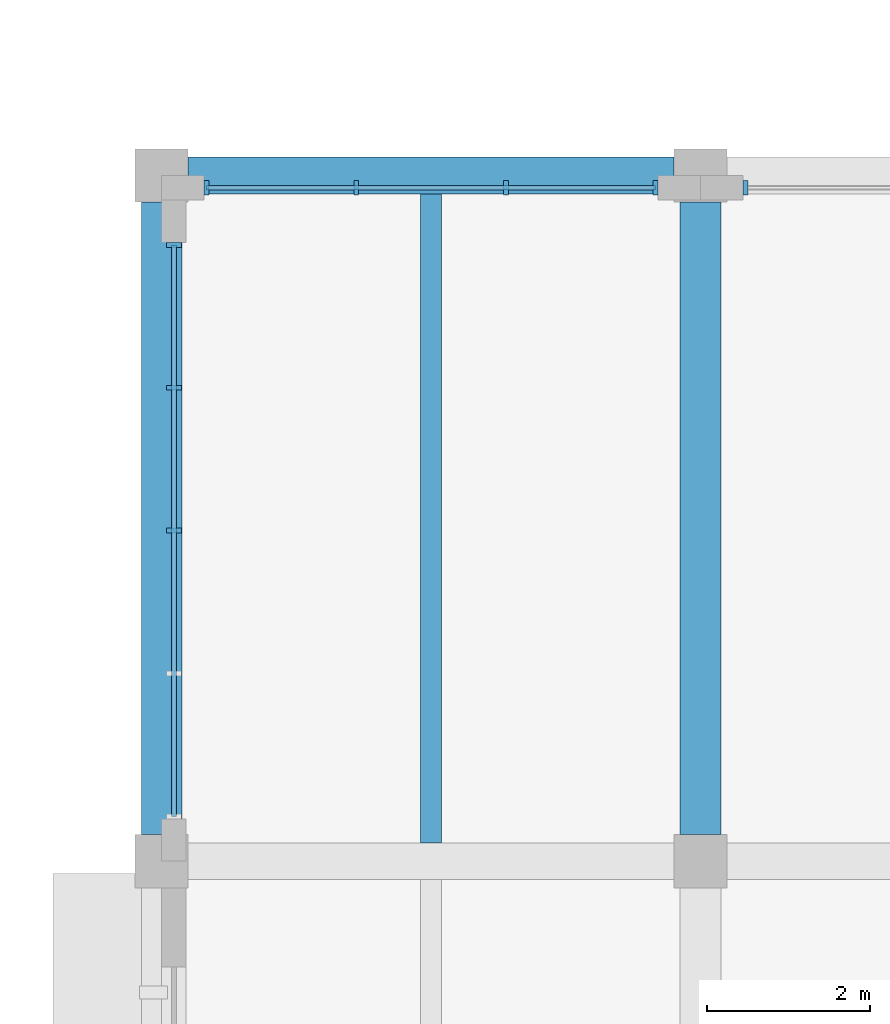
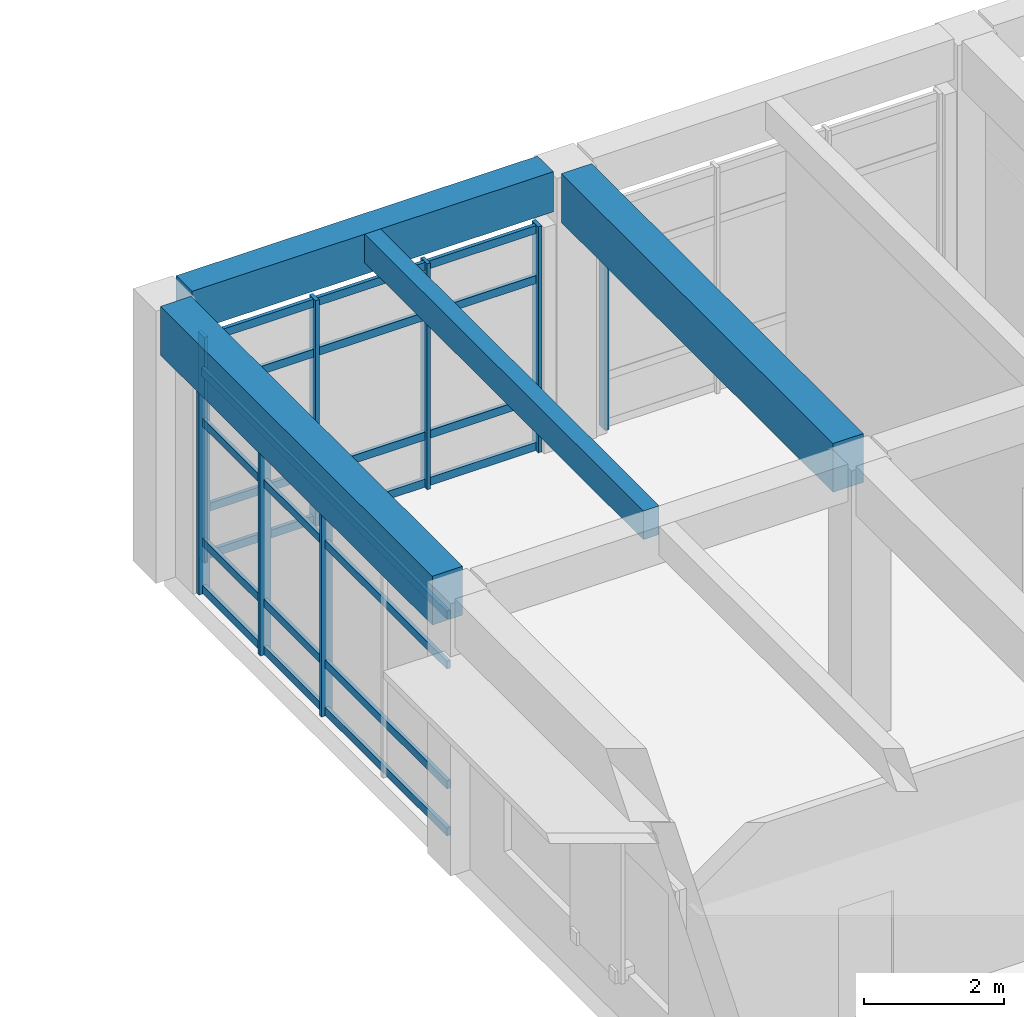
# One storey, part 24 of 79: 16 members, 4 beams, 3 elements without a shape of their own.
"""IFC4 building model written with IfcOpenShell, lengths in metres."""

from ifc_helpers import new_model, si_unit, direction, frame, origin, origin_2d, place, context, subcontext, project, spatial, rectangle, extrude, material, layer, layer_set, material_profile, profile_set, type_object, element, aggregate, save


model = new_model("IFC4")

# Units and contexts
model_context = context("Model", 3, precision=1e-05, world=origin(), true_north=direction((0.0, 1.0)))
body_context = subcontext(model_context, "Body", "Model", "MODEL_VIEW")
ifc_project = project(units=[si_unit("LENGTHUNIT", "METRE"), si_unit("AREAUNIT", "SQUARE_METRE"), si_unit("VOLUMEUNIT", "CUBIC_METRE"), si_unit("PLANEANGLEUNIT", "RADIAN"), si_unit("MASSUNIT", "GRAM", prefix="KILO")], contexts=[model_context])

# Site, building, storey
site_placement = place(None, origin())
site = spatial("IfcSite", under=ifc_project, at=site_placement, CompositionType="ELEMENT")
building_placement = place(site_placement, origin())
building = spatial("IfcBuilding", under=site, at=building_placement, Name="Kolvaren Faculty of Natural Sciences", CompositionType="ELEMENT")
storey_placement = place(building_placement, frame((0.0, 0.0, 10.199951171875)))
storey = spatial("IfcBuildingStorey", under=building, at=storey_placement, Name="L02", CompositionType="ELEMENT", Elevation=10.199951171875)

# Curtain wall, members
ifc_material_1 = material(Name="Thermally broken anodised aluminium framing", Category="aluminium")
ifc_layer = layer(ifc_material_1, 0.179931640625)
ifc_layer_set = layer_set([ifc_layer], Name="Thermally broken anodised aluminium framing")
curtain_wall_type = type_object("IfcCurtainWallType", Name="CommonsCurtainWall_CW02", PredefinedType="NOTDEFINED", material=ifc_layer_set)
curtain_wall_1_placement = place(storey_placement, origin())
curtain_wall_1 = element("IfcCurtainWall", 1, at=curtain_wall_1_placement, inside=storey, type_object=curtain_wall_type, Name="L02 unitised curtain wall CW-02 (CW-L02-091)", PredefinedType="NOTDEFINED")
ifc_material_profile_1 = material_profile(ifc_material_1, rectangle(XDim=0.06005859375, YDim=0.179931640625, at=origin_2d()), Name="ALU MUL 60x180")
ifc_profile_set_1 = profile_set([ifc_material_profile_1], Name="Thermally broken anodised aluminium framing")
member_type_1 = type_object("IfcMemberType", Name="CurtainMullion_60x180", PredefinedType="MULLION", material=ifc_profile_set_1)
member_1_placement = place(storey_placement, frame((119.14990234375, 105.050048828125, 0.0), z_axis=(0.0, 0.0, 1.0), x_axis=(0.0, 1.0, 0.0)))
member_1 = element("IfcMember", 2, at=member_1_placement, type_object=member_type_1, Name="CW-L02-091 vertical mullion 3", PredefinedType="MULLION", context=body_context, shape_type="SweptSolid", body=[
    extrude(rectangle(XDim=0.06005859375, YDim=0.179931640625, at=origin_2d()), origin(), (0.0, 0.0, 1.0), 3.93505859375),
])
member_2_placement = place(storey_placement, frame((119.14990234375, 106.800048828125, 0.0), z_axis=(0.0, 0.0, 1.0), x_axis=(0.0, 1.0, 0.0)))
member_2 = element("IfcMember", 3, at=member_2_placement, type_object=member_type_1, Name="CW-L02-091 vertical mullion 4", PredefinedType="MULLION", context=body_context, shape_type="SweptSolid", body=[
    extrude(rectangle(XDim=0.06005859375, YDim=0.179931640625, at=origin_2d()), origin(), (0.0, 0.0, 1.0), 3.93505859375),
])
member_3_placement = place(storey_placement, frame((119.14990234375, 108.550048828125, 0.0), z_axis=(0.0, 0.0, 1.0), x_axis=(0.0, 1.0, 0.0)))
member_3 = element("IfcMember", 4, at=member_3_placement, type_object=member_type_1, Name="CW-L02-091 vertical mullion 5", PredefinedType="MULLION", context=body_context, shape_type="SweptSolid", body=[
    extrude(rectangle(XDim=0.06005859375, YDim=0.179931640625, at=origin_2d()), origin(), (0.0, 0.0, 1.0), 3.93505859375),
])

curtain_wall_2_placement = place(storey_placement, origin())
curtain_wall_2 = element("IfcCurtainWall", 5, at=curtain_wall_2_placement, inside=storey, type_object=curtain_wall_type, Name="L02 unitised curtain wall CW-02 (CW-L02-092)", PredefinedType="NOTDEFINED")
member_4_placement = place(storey_placement, frame((119.550048828125, 109.25, 0.0), z_axis=(0.0, 0.0, 1.0), x_axis=(1.0, 0.0, 0.0)))
member_4 = element("IfcMember", 6, at=member_4_placement, type_object=member_type_1, Name="CW-L02-092 vertical mullion 1", PredefinedType="MULLION", context=body_context, shape_type="SweptSolid", body=[
    extrude(rectangle(XDim=0.06005859375, YDim=0.179931640625, at=origin_2d()), origin(), (0.0, 0.0, 1.0), 3.93505859375),
])
member_5_placement = place(storey_placement, frame((121.38330078125, 109.25, 0.0), z_axis=(0.0, 0.0, 1.0), x_axis=(1.0, 0.0, 0.0)))
member_5 = element("IfcMember", 7, at=member_5_placement, type_object=member_type_1, Name="CW-L02-092 vertical mullion 2", PredefinedType="MULLION", context=body_context, shape_type="SweptSolid", body=[
    extrude(rectangle(XDim=0.06005859375, YDim=0.179931640625, at=origin_2d()), origin(), (0.0, 0.0, 1.0), 3.93505859375),
])
member_6_placement = place(storey_placement, frame((123.216796875, 109.25, 0.0), z_axis=(0.0, 0.0, 1.0), x_axis=(1.0, 0.0, 0.0)))
member_6 = element("IfcMember", 8, at=member_6_placement, type_object=member_type_1, Name="CW-L02-092 vertical mullion 3", PredefinedType="MULLION", context=body_context, shape_type="SweptSolid", body=[
    extrude(rectangle(XDim=0.06005859375, YDim=0.179931640625, at=origin_2d()), origin(), (0.0, 0.0, 1.0), 3.93505859375),
])
member_7_placement = place(storey_placement, frame((125.050048828125, 109.25, 0.0), z_axis=(0.0, 0.0, 1.0), x_axis=(1.0, 0.0, 0.0)))
member_7 = element("IfcMember", 9, at=member_7_placement, type_object=member_type_1, Name="CW-L02-092 vertical mullion 4", PredefinedType="MULLION", context=body_context, shape_type="SweptSolid", body=[
    extrude(rectangle(XDim=0.06005859375, YDim=0.179931640625, at=origin_2d()), origin(), (0.0, 0.0, 1.0), 3.93505859375),
])

# Curtain wall, member
curtain_wall_3_placement = place(storey_placement, origin())
curtain_wall_3 = element("IfcCurtainWall", 10, at=curtain_wall_3_placement, inside=storey, type_object=curtain_wall_type, Name="L02 unitised curtain wall CW-02 (CW-L02-093)", PredefinedType="NOTDEFINED")
member_8_placement = place(storey_placement, frame((126.14990234375, 109.25, 0.0), z_axis=(0.0, 0.0, 1.0), x_axis=(1.0, 0.0, 0.0)))
member_8 = element("IfcMember", 11, at=member_8_placement, type_object=member_type_1, Name="CW-L02-093 vertical mullion 1", PredefinedType="MULLION", context=body_context, shape_type="SweptSolid", body=[
    extrude(rectangle(XDim=0.06005859375, YDim=0.179931640625, at=origin_2d()), origin(), (0.0, 0.0, 1.0), 3.93505859375),
])
aggregate(curtain_wall_3, [member_8])

# Member
ifc_material_profile_2 = material_profile(ifc_material_1, rectangle(XDim=0.06005859375, YDim=0.139892578125, at=origin_2d()), Name="ALU TRN 60x140")
ifc_profile_set_2 = profile_set([ifc_material_profile_2], Name="Thermally broken anodised aluminium framing")
member_type_2 = type_object("IfcMemberType", Name="CurtainTransom_60x140", PredefinedType="USERDEFINED", material=ifc_profile_set_2)
member_9_placement = place(storey_placement, frame((119.14990234375, 101.550048828125, 0.080078125), z_axis=(0.0, 1.0, 0.0), x_axis=(-1.0, 0.0, 0.0)))
member_9 = element("IfcMember", 12, at=member_9_placement, type_object=member_type_2, Name="CW-L02-091 horizontal transom 1", ObjectType="TRANSOM", PredefinedType="USERDEFINED", context=body_context, shape_type="SweptSolid", body=[
    extrude(rectangle(XDim=0.06005859375, YDim=0.139892578125, at=origin_2d()), origin(), (0.0, 0.0, 1.0), 7.0),
])

member_10_placement = place(storey_placement, frame((119.14990234375, 101.550048828125, 0.900146484375), z_axis=(0.0, 1.0, 0.0), x_axis=(-1.0, 0.0, 0.0)))
member_10 = element("IfcMember", 13, at=member_10_placement, type_object=member_type_2, Name="CW-L02-091 horizontal transom 2", ObjectType="TRANSOM", PredefinedType="USERDEFINED", context=body_context, shape_type="SweptSolid", body=[
    extrude(rectangle(XDim=0.06005859375, YDim=0.139892578125, at=origin_2d()), origin(), (0.0, 0.0, 1.0), 7.0),
])

member_11_placement = place(storey_placement, frame((119.14990234375, 101.550048828125, 2.985107421875), z_axis=(0.0, 1.0, 0.0), x_axis=(-1.0, 0.0, 0.0)))
member_11 = element("IfcMember", 14, at=member_11_placement, type_object=member_type_2, Name="CW-L02-091 horizontal transom 3", ObjectType="TRANSOM", PredefinedType="USERDEFINED", context=body_context, shape_type="SweptSolid", body=[
    extrude(rectangle(XDim=0.06005859375, YDim=0.139892578125, at=origin_2d()), origin(), (0.0, 0.0, 1.0), 7.0),
])

member_12_placement = place(storey_placement, frame((119.14990234375, 101.550048828125, 3.85498046875), z_axis=(0.0, 1.0, 0.0), x_axis=(-1.0, 0.0, 0.0)))
member_12 = element("IfcMember", 15, at=member_12_placement, type_object=member_type_2, Name="CW-L02-091 horizontal transom 4", ObjectType="TRANSOM", PredefinedType="USERDEFINED", context=body_context, shape_type="SweptSolid", body=[
    extrude(rectangle(XDim=0.06005859375, YDim=0.139892578125, at=origin_2d()), origin(), (0.0, 0.0, 1.0), 7.0),
])

aggregate(curtain_wall_1, [member_1, member_2, member_3, member_9, member_10, member_11, member_12])

member_13_placement = place(storey_placement, frame((119.550048828125, 109.25, 0.080078125), z_axis=(1.0, 0.0, 0.0), x_axis=(0.0, 1.0, 0.0)))
member_13 = element("IfcMember", 16, at=member_13_placement, type_object=member_type_2, Name="CW-L02-092 horizontal transom 1", ObjectType="TRANSOM", PredefinedType="USERDEFINED", context=body_context, shape_type="SweptSolid", body=[
    extrude(rectangle(XDim=0.06005859375, YDim=0.139892578125, at=origin_2d()), origin(), (0.0, 0.0, 1.0), 5.5),
])

member_14_placement = place(storey_placement, frame((119.550048828125, 109.25, 0.900146484375), z_axis=(1.0, 0.0, 0.0), x_axis=(0.0, 1.0, 0.0)))
member_14 = element("IfcMember", 17, at=member_14_placement, type_object=member_type_2, Name="CW-L02-092 horizontal transom 2", ObjectType="TRANSOM", PredefinedType="USERDEFINED", context=body_context, shape_type="SweptSolid", body=[
    extrude(rectangle(XDim=0.06005859375, YDim=0.139892578125, at=origin_2d()), origin(), (0.0, 0.0, 1.0), 5.5),
])

member_15_placement = place(storey_placement, frame((119.550048828125, 109.25, 2.985107421875), z_axis=(1.0, 0.0, 0.0), x_axis=(0.0, 1.0, 0.0)))
member_15 = element("IfcMember", 18, at=member_15_placement, type_object=member_type_2, Name="CW-L02-092 horizontal transom 3", ObjectType="TRANSOM", PredefinedType="USERDEFINED", context=body_context, shape_type="SweptSolid", body=[
    extrude(rectangle(XDim=0.06005859375, YDim=0.139892578125, at=origin_2d()), origin(), (0.0, 0.0, 1.0), 5.5),
])

member_16_placement = place(storey_placement, frame((119.550048828125, 109.25, 3.85498046875), z_axis=(1.0, 0.0, 0.0), x_axis=(0.0, 1.0, 0.0)))
member_16 = element("IfcMember", 19, at=member_16_placement, type_object=member_type_2, Name="CW-L02-092 horizontal transom 4", ObjectType="TRANSOM", PredefinedType="USERDEFINED", context=body_context, shape_type="SweptSolid", body=[
    extrude(rectangle(XDim=0.06005859375, YDim=0.139892578125, at=origin_2d()), origin(), (0.0, 0.0, 1.0), 5.5),
])

aggregate(curtain_wall_2, [member_4, member_5, member_6, member_7, member_13, member_14, member_15, member_16])

# Beams
ifc_material_2 = material(Name="Concrete C35/45", Category="concrete")
ifc_material_profile_3 = material_profile(ifc_material_2, rectangle(XDim=0.260009765625, YDim=0.5, at=origin_2d()), Name="RC JST 260x500")
ifc_profile_set_3 = profile_set([ifc_material_profile_3], Name="Concrete C35/45")
beam_type_1 = type_object("IfcBeamType", Name="LabRibJoist_260x500", PredefinedType="JOIST", material=ifc_profile_set_3)
beam_1_placement = place(storey_placement, frame((122.300048828125, 101.22509765625, 4.550048828125), z_axis=(0.0, 1.0, 0.0), x_axis=(-1.0, 0.0, 0.0)))
element("IfcBeam", 20, at=beam_1_placement, inside=storey, type_object=beam_type_1, Name="L02 ribbed laboratory slab joist JS-50", PredefinedType="JOIST", context=body_context, shape_type="SweptSolid", body=[
    extrude(rectangle(XDim=0.260009765625, YDim=0.5, at=origin_2d()), origin(), (0.0, 0.0, 1.0), 7.949951171875),
])
ifc_material_profile_4 = material_profile(ifc_material_2, rectangle(XDim=0.449951171875, YDim=0.699951171875, at=origin_2d()), Name="RC SP 450x700")
ifc_profile_set_4 = profile_set([ifc_material_profile_4], Name="Concrete C35/45")
beam_type_2 = type_object("IfcBeamType", Name="PerimeterSpandrel_450x700", PredefinedType="SPANDREL", material=ifc_profile_set_4)
beam_2_placement = place(storey_placement, frame((119.324951171875, 109.39990234375, 4.449951171875), z_axis=(1.0, 0.0, 0.0), x_axis=(0.0, 1.0, 0.0)))
element("IfcBeam", 21, at=beam_2_placement, inside=storey, type_object=beam_type_2, Name="L02 spandrel SP-70 on grid P", PredefinedType="SPANDREL", context=body_context, shape_type="SweptSolid", body=[
    extrude(rectangle(XDim=0.449951171875, YDim=0.699951171875, at=origin_2d()), origin(), (0.0, 0.0, 1.0), 5.949951171875),
])
ifc_material_profile_5 = material_profile(ifc_material_2, rectangle(XDim=0.5, YDim=0.85009765625, at=origin_2d()), Name="RC BM 500x850")
ifc_profile_set_5 = profile_set([ifc_material_profile_5], Name="Concrete C35/45")
beam_type_3 = type_object("IfcBeamType", Name="PrimaryGirder_500x850", PredefinedType="BEAM", material=ifc_profile_set_5)
for number, where, z_axis, x_axis, name in (
    (22, (119.0, 101.324951171875, 4.375), (0.0, 1.0, 0.0), (-1.0, 0.0, 0.0), "L02 girder BG-85 on grid 19"),
    (23, (125.60009765625, 101.324951171875, 4.375), (0.0, 1.0, 0.0), (-1.0, 0.0, 0.0), "L02 girder BG-85 on grid 20"),
):
    element("IfcBeam", number, at=place(storey_placement, frame(where, z_axis=z_axis, x_axis=x_axis)), inside=storey, type_object=beam_type_3, Name=name, PredefinedType="BEAM", context=body_context, shape_type="SweptSolid", body=[
        extrude(rectangle(XDim=0.5, YDim=0.85009765625, at=origin_2d()), origin(), (0.0, 0.0, 1.0), 7.75),
    ])

save(model, "model.ifc")
